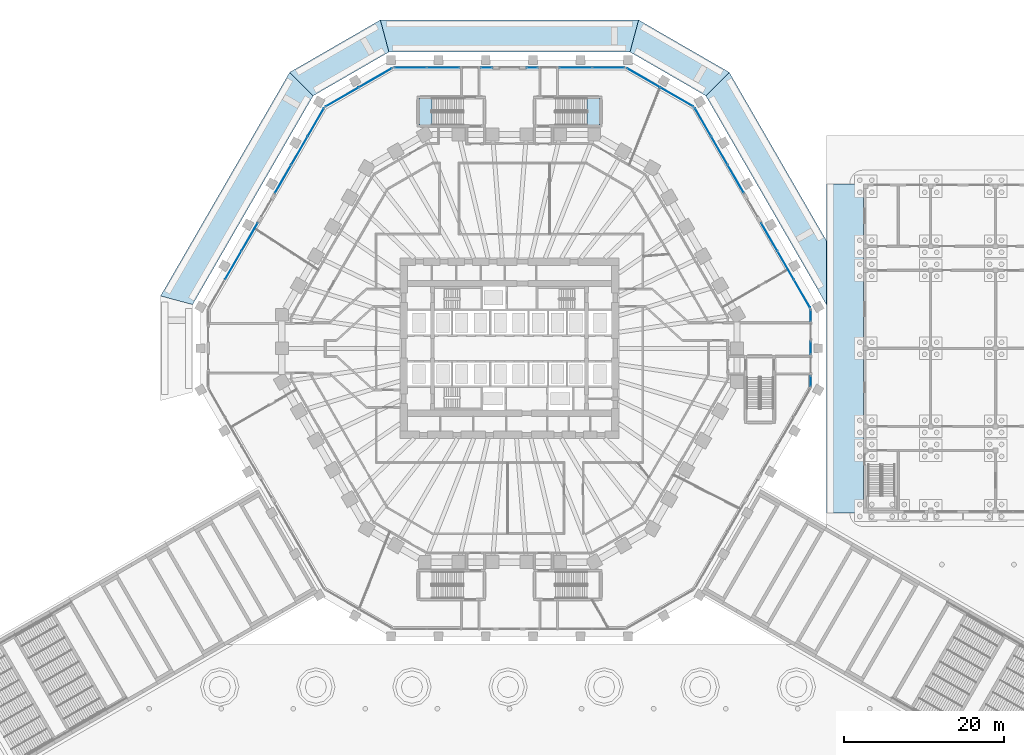
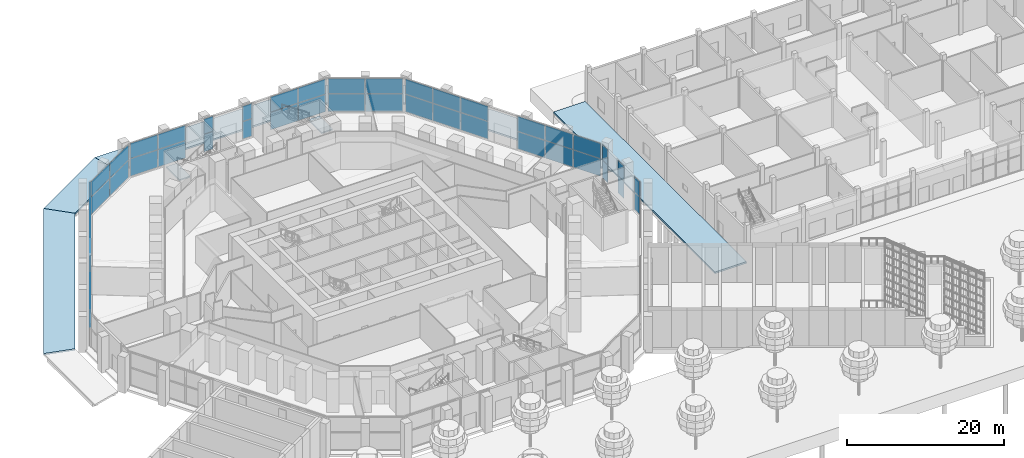
# One storey, part 14 of 44: 48 plates, 8 slabs, 15 elements without a shape of their own.
"""IFC4 building model written with IfcOpenShell, lengths in metres."""

from ifc_helpers import new_model, si_unit, direction, frame, origin, origin_2d, place, context, subcontext, project, spatial, polyline, rectangle, outline, extrude, material, layer, layer_set, type_object, element, aggregate, save


model = new_model("IFC4")

# Units and contexts
model_context = context("Model", 3, precision=1e-05, world=origin(), true_north=direction((0.0, 1.0)))
body_context = subcontext(model_context, "Body", "Model", "MODEL_VIEW")
ifc_project = project(units=[si_unit("LENGTHUNIT", "METRE"), si_unit("AREAUNIT", "SQUARE_METRE"), si_unit("VOLUMEUNIT", "CUBIC_METRE"), si_unit("PLANEANGLEUNIT", "RADIAN"), si_unit("MASSUNIT", "GRAM", prefix="KILO")], contexts=[model_context])

# Site, building, storey
site_placement = place(None, origin())
site = spatial("IfcSite", under=ifc_project, at=site_placement, CompositionType="ELEMENT")
building_placement = place(site_placement, origin())
building = spatial("IfcBuilding", under=site, at=building_placement, Name="Frailejon Research Tower", CompositionType="ELEMENT")
storey_placement = place(building_placement, origin())
storey = spatial("IfcBuildingStorey", under=building, at=storey_placement, Name="L00", CompositionType="ELEMENT", Elevation=0.0)

# Curtain wall, plates
ifc_material_1 = material(Name="Aluminium curtain wall", Category="aluminium")
curtain_wall_type = type_object("IfcCurtainWallType", Name="Lobby atrium curtain wall system", PredefinedType="NOTDEFINED", material=ifc_material_1)
curtain_wall_1_placement = place(storey_placement, origin())
curtain_wall_1 = element("IfcCurtainWall", 1, at=curtain_wall_1_placement, inside=storey, type_object=curtain_wall_type, Name="Curtain wall L00", PredefinedType="NOTDEFINED")
ifc_material_2 = material(Name="Clear laminated glass", Category="glass")
ifc_layer_1 = layer(ifc_material_2, 0.035888671875)
ifc_layer_set_1 = layer_set([ifc_layer_1], Name="Lobby atrium curtain wall glass panel 36")
plate_type = type_object("IfcPlateType", Name="Lobby atrium curtain wall glass panel 36", PredefinedType="CURTAIN_PANEL", material=ifc_layer_set_1)
plate_1_placement = place(storey_placement, frame((37.619140625, -4.11767578125, 0.080078125), z_axis=(0.0, 0.0, 1.0), x_axis=(0.0, 1.0, 0.0)))
plate_1 = element("IfcPlate", 2, at=plate_1_placement, type_object=plate_type, Name="CW1-001 panel 1.1", PredefinedType="CURTAIN_PANEL", context=body_context, shape_type="SweptSolid", body=[
    extrude(rectangle(XDim=1.287841796875, YDim=0.035888671875, at=origin_2d()), origin(), (0.0, 0.0, 1.0), 2.679931640625),
])
plate_2_placement = place(storey_placement, frame((37.619140625, -4.11767578125, 2.83984375), z_axis=(0.0, 0.0, 1.0), x_axis=(0.0, 1.0, 0.0)))
plate_2 = element("IfcPlate", 3, at=plate_2_placement, type_object=plate_type, Name="CW1-001 panel 1.2", PredefinedType="CURTAIN_PANEL", context=body_context, shape_type="SweptSolid", body=[
    extrude(rectangle(XDim=1.287841796875, YDim=0.035888671875, at=origin_2d()), origin(), (0.0, 0.0, 1.0), 2.330078125),
])
aggregate(curtain_wall_1, [plate_1, plate_2])

curtain_wall_2_placement = place(storey_placement, origin())
curtain_wall_2 = element("IfcCurtainWall", 4, at=curtain_wall_2_placement, inside=storey, type_object=curtain_wall_type, Name="Curtain wall L00", PredefinedType="NOTDEFINED")
plate_3_placement = place(storey_placement, frame((37.619140625, 0.052978515625, 0.080078125), z_axis=(0.0, 0.0, 1.0), x_axis=(0.0, 1.0, 0.0)))
plate_3 = element("IfcPlate", 5, at=plate_3_placement, type_object=plate_type, Name="CW1-X01 panel 1.1", PredefinedType="CURTAIN_PANEL", context=body_context, shape_type="SweptSolid", body=[
    extrude(rectangle(XDim=1.53369140625, YDim=0.035888671875, at=origin_2d()), origin(), (0.0, 0.0, 1.0), 2.679931640625),
])
plate_4_placement = place(storey_placement, frame((37.619140625, 0.052978515625, 2.83984375), z_axis=(0.0, 0.0, 1.0), x_axis=(0.0, 1.0, 0.0)))
plate_4 = element("IfcPlate", 6, at=plate_4_placement, type_object=plate_type, Name="CW1-X01 panel 1.2", PredefinedType="CURTAIN_PANEL", context=body_context, shape_type="SweptSolid", body=[
    extrude(rectangle(XDim=1.53369140625, YDim=0.035888671875, at=origin_2d()), origin(), (0.0, 0.0, 1.0), 2.330078125),
])
aggregate(curtain_wall_2, [plate_3, plate_4])

curtain_wall_3_placement = place(storey_placement, origin())
curtain_wall_3 = element("IfcCurtainWall", 7, at=curtain_wall_3_placement, inside=storey, type_object=curtain_wall_type, Name="Curtain wall L00", PredefinedType="NOTDEFINED")
plate_5_placement = place(storey_placement, frame((37.619140625, 4.07080078125, 0.080078125), z_axis=(0.0, 0.0, 1.0), x_axis=(0.0, 1.0, 0.0)))
plate_5 = element("IfcPlate", 8, at=plate_5_placement, type_object=plate_type, Name="CW1-002 panel 1.1", PredefinedType="CURTAIN_PANEL", context=body_context, shape_type="SweptSolid", body=[
    extrude(rectangle(XDim=1.381591796875, YDim=0.035888671875, at=origin_2d()), origin(), (0.0, 0.0, 1.0), 2.679931640625),
])
plate_6_placement = place(storey_placement, frame((37.619140625, 4.07080078125, 2.83984375), z_axis=(0.0, 0.0, 1.0), x_axis=(0.0, 1.0, 0.0)))
plate_6 = element("IfcPlate", 9, at=plate_6_placement, type_object=plate_type, Name="CW1-002 panel 1.2", PredefinedType="CURTAIN_PANEL", context=body_context, shape_type="SweptSolid", body=[
    extrude(rectangle(XDim=1.381591796875, YDim=0.035888671875, at=origin_2d()), origin(), (0.0, 0.0, 1.0), 2.330078125),
])
aggregate(curtain_wall_3, [plate_5, plate_6])

curtain_wall_4_placement = place(storey_placement, origin())
curtain_wall_4 = element("IfcCurtainWall", 10, at=curtain_wall_4_placement, inside=storey, type_object=curtain_wall_type, Name="Curtain wall L00", PredefinedType="NOTDEFINED")
plate_7_placement = place(storey_placement, frame((36.53173828125, 6.8251953125, 0.080078125), z_axis=(0.0, 0.0, 1.0), x_axis=(-0.499999762196, 0.866025541081, 0.0)))
plate_7 = element("IfcPlate", 11, at=plate_7_placement, type_object=plate_type, Name="CW1-003 panel 1.1", PredefinedType="CURTAIN_PANEL", context=body_context, shape_type="SweptSolid", body=[
    extrude(rectangle(XDim=3.989990234375, YDim=0.035888671875, at=origin_2d()), origin(), (0.0, 0.0, 1.0), 2.679931640625),
])
plate_8_placement = place(storey_placement, frame((36.53173828125, 6.8251953125, 2.83984375), z_axis=(0.0, 0.0, 1.0), x_axis=(-0.499999762196, 0.866025541081, 0.0)))
plate_8 = element("IfcPlate", 12, at=plate_8_placement, type_object=plate_type, Name="CW1-003 panel 1.2", PredefinedType="CURTAIN_PANEL", context=body_context, shape_type="SweptSolid", body=[
    extrude(rectangle(XDim=3.989990234375, YDim=0.035888671875, at=origin_2d()), origin(), (0.0, 0.0, 1.0), 2.330078125),
])
plate_9_placement = place(storey_placement, frame((34.48681640625, 10.3671875, 0.080078125), z_axis=(0.0, 0.0, 1.0), x_axis=(-0.499999762196, 0.866025541081, 0.0)))
plate_9 = element("IfcPlate", 13, at=plate_9_placement, type_object=plate_type, Name="CW1-003 panel 2.1", PredefinedType="CURTAIN_PANEL", context=body_context, shape_type="SweptSolid", body=[
    extrude(rectangle(XDim=4.030029296875, YDim=0.035888671875, at=origin_2d()), origin(), (0.0, 0.0, 1.0), 2.679931640625),
])
plate_10_placement = place(storey_placement, frame((34.48681640625, 10.3671875, 2.83984375), z_axis=(0.0, 0.0, 1.0), x_axis=(-0.499999762196, 0.866025541081, 0.0)))
plate_10 = element("IfcPlate", 14, at=plate_10_placement, type_object=plate_type, Name="CW1-003 panel 2.2", PredefinedType="CURTAIN_PANEL", context=body_context, shape_type="SweptSolid", body=[
    extrude(rectangle(XDim=4.030029296875, YDim=0.035888671875, at=origin_2d()), origin(), (0.0, 0.0, 1.0), 2.330078125),
])
plate_11_placement = place(storey_placement, frame((32.441650390625, 13.9091796875, 0.080078125), z_axis=(0.0, 0.0, 1.0), x_axis=(-0.499999762196, 0.866025541081, 0.0)))
plate_11 = element("IfcPlate", 15, at=plate_11_placement, type_object=plate_type, Name="CW1-003 panel 3.1", PredefinedType="CURTAIN_PANEL", context=body_context, shape_type="SweptSolid", body=[
    extrude(rectangle(XDim=3.989990234375, YDim=0.035888671875, at=origin_2d()), origin(), (0.0, 0.0, 1.0), 2.679931640625),
])
plate_12_placement = place(storey_placement, frame((32.441650390625, 13.9091796875, 2.83984375), z_axis=(0.0, 0.0, 1.0), x_axis=(-0.499999762196, 0.866025541081, 0.0)))
plate_12 = element("IfcPlate", 16, at=plate_12_placement, type_object=plate_type, Name="CW1-003 panel 3.2", PredefinedType="CURTAIN_PANEL", context=body_context, shape_type="SweptSolid", body=[
    extrude(rectangle(XDim=3.989990234375, YDim=0.035888671875, at=origin_2d()), origin(), (0.0, 0.0, 1.0), 2.330078125),
])
aggregate(curtain_wall_4, [plate_7, plate_8, plate_9, plate_10, plate_11, plate_12])

curtain_wall_5_placement = place(storey_placement, origin())
curtain_wall_5 = element("IfcCurtainWall", 17, at=curtain_wall_5_placement, inside=storey, type_object=curtain_wall_type, Name="Curtain wall L00", PredefinedType="NOTDEFINED")
plate_13_placement = place(storey_placement, frame((28.2666015625, 21.140625, 0.080078125), z_axis=(0.0, 0.0, 1.0), x_axis=(-0.499999762196, 0.866025541081, 0.0)))
plate_13 = element("IfcPlate", 18, at=plate_13_placement, type_object=plate_type, Name="CW1-004 panel 1.1", PredefinedType="CURTAIN_PANEL", context=body_context, shape_type="SweptSolid", body=[
    extrude(rectangle(XDim=3.989990234375, YDim=0.035888671875, at=origin_2d()), origin(), (0.0, 0.0, 1.0), 2.679931640625),
])
plate_14_placement = place(storey_placement, frame((28.2666015625, 21.140625, 2.83984375), z_axis=(0.0, 0.0, 1.0), x_axis=(-0.499999762196, 0.866025541081, 0.0)))
plate_14 = element("IfcPlate", 19, at=plate_14_placement, type_object=plate_type, Name="CW1-004 panel 1.2", PredefinedType="CURTAIN_PANEL", context=body_context, shape_type="SweptSolid", body=[
    extrude(rectangle(XDim=3.989990234375, YDim=0.035888671875, at=origin_2d()), origin(), (0.0, 0.0, 1.0), 2.330078125),
])
plate_15_placement = place(storey_placement, frame((26.2216796875, 24.682861328125, 0.080078125), z_axis=(0.0, 0.0, 1.0), x_axis=(-0.499999762196, 0.866025541081, 0.0)))
plate_15 = element("IfcPlate", 20, at=plate_15_placement, type_object=plate_type, Name="CW1-004 panel 2.1", PredefinedType="CURTAIN_PANEL", context=body_context, shape_type="SweptSolid", body=[
    extrude(rectangle(XDim=4.030029296875, YDim=0.035888671875, at=origin_2d()), origin(), (0.0, 0.0, 1.0), 2.679931640625),
])
plate_16_placement = place(storey_placement, frame((26.2216796875, 24.682861328125, 2.83984375), z_axis=(0.0, 0.0, 1.0), x_axis=(-0.499999762196, 0.866025541081, 0.0)))
plate_16 = element("IfcPlate", 21, at=plate_16_placement, type_object=plate_type, Name="CW1-004 panel 2.2", PredefinedType="CURTAIN_PANEL", context=body_context, shape_type="SweptSolid", body=[
    extrude(rectangle(XDim=4.030029296875, YDim=0.035888671875, at=origin_2d()), origin(), (0.0, 0.0, 1.0), 2.330078125),
])
plate_17_placement = place(storey_placement, frame((24.1767578125, 28.224853515625, 0.080078125), z_axis=(0.0, 0.0, 1.0), x_axis=(-0.499999762196, 0.866025541081, 0.0)))
plate_17 = element("IfcPlate", 22, at=plate_17_placement, type_object=plate_type, Name="CW1-004 panel 3.1", PredefinedType="CURTAIN_PANEL", context=body_context, shape_type="SweptSolid", body=[
    extrude(rectangle(XDim=3.989990234375, YDim=0.035888671875, at=origin_2d()), origin(), (0.0, 0.0, 1.0), 2.679931640625),
])
plate_18_placement = place(storey_placement, frame((24.1767578125, 28.224853515625, 2.83984375), z_axis=(0.0, 0.0, 1.0), x_axis=(-0.499999762196, 0.866025541081, 0.0)))
plate_18 = element("IfcPlate", 23, at=plate_18_placement, type_object=plate_type, Name="CW1-004 panel 3.2", PredefinedType="CURTAIN_PANEL", context=body_context, shape_type="SweptSolid", body=[
    extrude(rectangle(XDim=3.989990234375, YDim=0.035888671875, at=origin_2d()), origin(), (0.0, 0.0, 1.0), 2.330078125),
])
aggregate(curtain_wall_5, [plate_13, plate_14, plate_15, plate_16, plate_17, plate_18])

curtain_wall_6_placement = place(storey_placement, origin())
curtain_wall_6 = element("IfcCurtainWall", 24, at=curtain_wall_6_placement, inside=storey, type_object=curtain_wall_type, Name="Curtain wall L00", PredefinedType="NOTDEFINED")
plate_19_placement = place(storey_placement, frame((20.888916015625, 31.37890625, 0.080078125), z_axis=(0.0, 0.0, 1.0), x_axis=(-0.866025476338, 0.499999874334, 0.0)))
plate_19 = element("IfcPlate", 25, at=plate_19_placement, type_object=plate_type, Name="CW1-005 panel 1.1", PredefinedType="CURTAIN_PANEL", context=body_context, shape_type="SweptSolid", body=[
    extrude(rectangle(XDim=4.7216796875, YDim=0.035888671875, at=origin_2d()), origin(), (0.0, 0.0, 1.0), 2.679931640625),
])
plate_20_placement = place(storey_placement, frame((20.888916015625, 31.37890625, 2.83984375), z_axis=(0.0, 0.0, 1.0), x_axis=(-0.866025476338, 0.499999874334, 0.0)))
plate_20 = element("IfcPlate", 26, at=plate_20_placement, type_object=plate_type, Name="CW1-005 panel 1.2", PredefinedType="CURTAIN_PANEL", context=body_context, shape_type="SweptSolid", body=[
    extrude(rectangle(XDim=4.7216796875, YDim=0.035888671875, at=origin_2d()), origin(), (0.0, 0.0, 1.0), 2.330078125),
])
plate_21_placement = place(storey_placement, frame((16.73046875, 33.779541015625, 0.080078125), z_axis=(0.0, 0.0, 1.0), x_axis=(-0.866025476338, 0.499999874334, 0.0)))
plate_21 = element("IfcPlate", 27, at=plate_21_placement, type_object=plate_type, Name="CW1-005 panel 2.1", PredefinedType="CURTAIN_PANEL", context=body_context, shape_type="SweptSolid", body=[
    extrude(rectangle(XDim=4.7216796875, YDim=0.035888671875, at=origin_2d()), origin(), (0.0, 0.0, 1.0), 2.679931640625),
])
plate_22_placement = place(storey_placement, frame((16.73046875, 33.779541015625, 2.83984375), z_axis=(0.0, 0.0, 1.0), x_axis=(-0.866025476338, 0.499999874334, 0.0)))
plate_22 = element("IfcPlate", 28, at=plate_22_placement, type_object=plate_type, Name="CW1-005 panel 2.2", PredefinedType="CURTAIN_PANEL", context=body_context, shape_type="SweptSolid", body=[
    extrude(rectangle(XDim=4.7216796875, YDim=0.035888671875, at=origin_2d()), origin(), (0.0, 0.0, 1.0), 2.330078125),
])
aggregate(curtain_wall_6, [plate_19, plate_20, plate_21, plate_22])

curtain_wall_7_placement = place(storey_placement, origin())
curtain_wall_7 = element("IfcCurtainWall", 29, at=curtain_wall_7_placement, inside=storey, type_object=curtain_wall_type, Name="Curtain wall L00", PredefinedType="NOTDEFINED")
plate_23_placement = place(storey_placement, frame((12.351806640625, 35.050048828125, 0.080078125), z_axis=(0.0, 0.0, 1.0), x_axis=(-1.0, 0.0, 0.0)))
plate_23 = element("IfcPlate", 30, at=plate_23_placement, type_object=plate_type, Name="CW1-006 panel 1.1", PredefinedType="CURTAIN_PANEL", context=body_context, shape_type="SweptSolid", body=[
    extrude(rectangle(XDim=3.99658203125, YDim=0.035888671875, at=origin_2d()), origin(), (0.0, 0.0, 1.0), 2.679931640625),
])
plate_24_placement = place(storey_placement, frame((12.351806640625, 35.050048828125, 2.83984375), z_axis=(0.0, 0.0, 1.0), x_axis=(-1.0, 0.0, 0.0)))
plate_24 = element("IfcPlate", 31, at=plate_24_placement, type_object=plate_type, Name="CW1-006 panel 1.2", PredefinedType="CURTAIN_PANEL", context=body_context, shape_type="SweptSolid", body=[
    extrude(rectangle(XDim=3.99658203125, YDim=0.035888671875, at=origin_2d()), origin(), (0.0, 0.0, 1.0), 2.330078125),
])
plate_25_placement = place(storey_placement, frame((8.275390625, 35.050048828125, 0.080078125), z_axis=(0.0, 0.0, 1.0), x_axis=(-1.0, 0.0, 0.0)))
plate_25 = element("IfcPlate", 32, at=plate_25_placement, type_object=plate_type, Name="CW1-006 panel 2.1", PredefinedType="CURTAIN_PANEL", context=body_context, shape_type="SweptSolid", body=[
    extrude(rectangle(XDim=3.99658203125, YDim=0.035888671875, at=origin_2d()), origin(), (0.0, 0.0, 1.0), 2.679931640625),
])
plate_26_placement = place(storey_placement, frame((8.275390625, 35.050048828125, 2.83984375), z_axis=(0.0, 0.0, 1.0), x_axis=(-1.0, 0.0, 0.0)))
plate_26 = element("IfcPlate", 33, at=plate_26_placement, type_object=plate_type, Name="CW1-006 panel 2.2", PredefinedType="CURTAIN_PANEL", context=body_context, shape_type="SweptSolid", body=[
    extrude(rectangle(XDim=3.99658203125, YDim=0.035888671875, at=origin_2d()), origin(), (0.0, 0.0, 1.0), 2.330078125),
])
aggregate(curtain_wall_7, [plate_23, plate_24, plate_25, plate_26])

curtain_wall_8_placement = place(storey_placement, origin())
curtain_wall_8 = element("IfcCurtainWall", 34, at=curtain_wall_8_placement, inside=storey, type_object=curtain_wall_type, Name="Curtain wall L00", PredefinedType="NOTDEFINED")
plate_27_placement = place(storey_placement, frame((2.848388671875, 35.050048828125, 0.080078125), z_axis=(0.0, 0.0, 1.0), x_axis=(-1.0, 0.0, 0.0)))
plate_27 = element("IfcPlate", 35, at=plate_27_placement, type_object=plate_type, Name="CW1-X02 panel 1.1", PredefinedType="CURTAIN_PANEL", context=body_context, shape_type="SweptSolid", body=[
    extrude(rectangle(XDim=1.3369140625, YDim=0.035888671875, at=origin_2d()), origin(), (0.0, 0.0, 1.0), 2.679931640625),
])
plate_28_placement = place(storey_placement, frame((2.848388671875, 35.050048828125, 2.83984375), z_axis=(0.0, 0.0, 1.0), x_axis=(-1.0, 0.0, 0.0)))
plate_28 = element("IfcPlate", 36, at=plate_28_placement, type_object=plate_type, Name="CW1-X02 panel 1.2", PredefinedType="CURTAIN_PANEL", context=body_context, shape_type="SweptSolid", body=[
    extrude(rectangle(XDim=1.3369140625, YDim=0.035888671875, at=origin_2d()), origin(), (0.0, 0.0, 1.0), 2.330078125),
])
aggregate(curtain_wall_8, [plate_27, plate_28])

curtain_wall_9_placement = place(storey_placement, origin())
curtain_wall_9 = element("IfcCurtainWall", 37, at=curtain_wall_9_placement, inside=storey, type_object=curtain_wall_type, Name="Curtain wall L00", PredefinedType="NOTDEFINED")
plate_29_placement = place(storey_placement, frame((-2.848388671875, 35.050048828125, 0.080078125), z_axis=(0.0, 0.0, 1.0), x_axis=(-1.0, 0.0, 0.0)))
plate_29 = element("IfcPlate", 38, at=plate_29_placement, type_object=plate_type, Name="CW1-007 panel 1.1", PredefinedType="CURTAIN_PANEL", context=body_context, shape_type="SweptSolid", body=[
    extrude(rectangle(XDim=1.3369140625, YDim=0.035888671875, at=origin_2d()), origin(), (0.0, 0.0, 1.0), 2.679931640625),
])
plate_30_placement = place(storey_placement, frame((-2.848388671875, 35.050048828125, 2.83984375), z_axis=(0.0, 0.0, 1.0), x_axis=(-1.0, 0.0, 0.0)))
plate_30 = element("IfcPlate", 39, at=plate_30_placement, type_object=plate_type, Name="CW1-007 panel 1.2", PredefinedType="CURTAIN_PANEL", context=body_context, shape_type="SweptSolid", body=[
    extrude(rectangle(XDim=1.3369140625, YDim=0.035888671875, at=origin_2d()), origin(), (0.0, 0.0, 1.0), 2.330078125),
])
aggregate(curtain_wall_9, [plate_29, plate_30])

curtain_wall_10_placement = place(storey_placement, origin())
curtain_wall_10 = element("IfcCurtainWall", 40, at=curtain_wall_10_placement, inside=storey, type_object=curtain_wall_type, Name="Curtain wall L00", PredefinedType="NOTDEFINED")
plate_31_placement = place(storey_placement, frame((-8.275146484375, 35.050048828125, 0.080078125), z_axis=(0.0, 0.0, 1.0), x_axis=(-1.0, 0.0, 0.0)))
plate_31 = element("IfcPlate", 41, at=plate_31_placement, type_object=plate_type, Name="CW1-X03 panel 1.1", PredefinedType="CURTAIN_PANEL", context=body_context, shape_type="SweptSolid", body=[
    extrude(rectangle(XDim=3.99658203125, YDim=0.035888671875, at=origin_2d()), origin(), (0.0, 0.0, 1.0), 2.679931640625),
])
plate_32_placement = place(storey_placement, frame((-8.275146484375, 35.050048828125, 2.83984375), z_axis=(0.0, 0.0, 1.0), x_axis=(-1.0, 0.0, 0.0)))
plate_32 = element("IfcPlate", 42, at=plate_32_placement, type_object=plate_type, Name="CW1-X03 panel 1.2", PredefinedType="CURTAIN_PANEL", context=body_context, shape_type="SweptSolid", body=[
    extrude(rectangle(XDim=3.99658203125, YDim=0.035888671875, at=origin_2d()), origin(), (0.0, 0.0, 1.0), 2.330078125),
])
plate_33_placement = place(storey_placement, frame((-12.351806640625, 35.050048828125, 0.080078125), z_axis=(0.0, 0.0, 1.0), x_axis=(-1.0, 0.0, 0.0)))
plate_33 = element("IfcPlate", 43, at=plate_33_placement, type_object=plate_type, Name="CW1-X03 panel 2.1", PredefinedType="CURTAIN_PANEL", context=body_context, shape_type="SweptSolid", body=[
    extrude(rectangle(XDim=3.99658203125, YDim=0.035888671875, at=origin_2d()), origin(), (0.0, 0.0, 1.0), 2.679931640625),
])
plate_34_placement = place(storey_placement, frame((-12.351806640625, 35.050048828125, 2.83984375), z_axis=(0.0, 0.0, 1.0), x_axis=(-1.0, 0.0, 0.0)))
plate_34 = element("IfcPlate", 44, at=plate_34_placement, type_object=plate_type, Name="CW1-X03 panel 2.2", PredefinedType="CURTAIN_PANEL", context=body_context, shape_type="SweptSolid", body=[
    extrude(rectangle(XDim=3.99658203125, YDim=0.035888671875, at=origin_2d()), origin(), (0.0, 0.0, 1.0), 2.330078125),
])
aggregate(curtain_wall_10, [plate_31, plate_32, plate_33, plate_34])

curtain_wall_11_placement = place(storey_placement, origin())
curtain_wall_11 = element("IfcCurtainWall", 45, at=curtain_wall_11_placement, inside=storey, type_object=curtain_wall_type, Name="Curtain wall L00", PredefinedType="NOTDEFINED")
plate_35_placement = place(storey_placement, frame((-16.73046875, 33.779541015625, 0.080078125), z_axis=(0.0, 0.0, 1.0), x_axis=(-0.866025476338, -0.499999874334, 0.0)))
plate_35 = element("IfcPlate", 46, at=plate_35_placement, type_object=plate_type, Name="CW1-008 panel 1.1", PredefinedType="CURTAIN_PANEL", context=body_context, shape_type="SweptSolid", body=[
    extrude(rectangle(XDim=4.7216796875, YDim=0.035888671875, at=origin_2d()), origin(), (0.0, 0.0, 1.0), 2.679931640625),
])
plate_36_placement = place(storey_placement, frame((-16.73046875, 33.779541015625, 2.83984375), z_axis=(0.0, 0.0, 1.0), x_axis=(-0.866025476338, -0.499999874334, 0.0)))
plate_36 = element("IfcPlate", 47, at=plate_36_placement, type_object=plate_type, Name="CW1-008 panel 1.2", PredefinedType="CURTAIN_PANEL", context=body_context, shape_type="SweptSolid", body=[
    extrude(rectangle(XDim=4.7216796875, YDim=0.035888671875, at=origin_2d()), origin(), (0.0, 0.0, 1.0), 2.330078125),
])
plate_37_placement = place(storey_placement, frame((-20.888916015625, 31.37890625, 0.080078125), z_axis=(0.0, 0.0, 1.0), x_axis=(-0.866025476338, -0.499999874334, 0.0)))
plate_37 = element("IfcPlate", 48, at=plate_37_placement, type_object=plate_type, Name="CW1-008 panel 2.1", PredefinedType="CURTAIN_PANEL", context=body_context, shape_type="SweptSolid", body=[
    extrude(rectangle(XDim=4.7216796875, YDim=0.035888671875, at=origin_2d()), origin(), (0.0, 0.0, 1.0), 2.679931640625),
])
plate_38_placement = place(storey_placement, frame((-20.888916015625, 31.37890625, 2.83984375), z_axis=(0.0, 0.0, 1.0), x_axis=(-0.866025476338, -0.499999874334, 0.0)))
plate_38 = element("IfcPlate", 49, at=plate_38_placement, type_object=plate_type, Name="CW1-008 panel 2.2", PredefinedType="CURTAIN_PANEL", context=body_context, shape_type="SweptSolid", body=[
    extrude(rectangle(XDim=4.7216796875, YDim=0.035888671875, at=origin_2d()), origin(), (0.0, 0.0, 1.0), 2.330078125),
])
aggregate(curtain_wall_11, [plate_35, plate_36, plate_37, plate_38])

curtain_wall_12_placement = place(storey_placement, origin())
curtain_wall_12 = element("IfcCurtainWall", 50, at=curtain_wall_12_placement, inside=storey, type_object=curtain_wall_type, Name="Curtain wall L00", PredefinedType="NOTDEFINED")
plate_39_placement = place(storey_placement, frame((-24.1767578125, 28.224853515625, 0.080078125), z_axis=(0.0, 0.0, 1.0), x_axis=(-0.499999762196, -0.866025541081, 0.0)))
plate_39 = element("IfcPlate", 51, at=plate_39_placement, type_object=plate_type, Name="CW1-009 panel 1.1", PredefinedType="CURTAIN_PANEL", context=body_context, shape_type="SweptSolid", body=[
    extrude(rectangle(XDim=3.989990234375, YDim=0.035888671875, at=origin_2d()), origin(), (0.0, 0.0, 1.0), 2.679931640625),
])
plate_40_placement = place(storey_placement, frame((-24.1767578125, 28.224853515625, 2.83984375), z_axis=(0.0, 0.0, 1.0), x_axis=(-0.499999762196, -0.866025541081, 0.0)))
plate_40 = element("IfcPlate", 52, at=plate_40_placement, type_object=plate_type, Name="CW1-009 panel 1.2", PredefinedType="CURTAIN_PANEL", context=body_context, shape_type="SweptSolid", body=[
    extrude(rectangle(XDim=3.989990234375, YDim=0.035888671875, at=origin_2d()), origin(), (0.0, 0.0, 1.0), 2.330078125),
])
plate_41_placement = place(storey_placement, frame((-26.2216796875, 24.682861328125, 0.080078125), z_axis=(0.0, 0.0, 1.0), x_axis=(-0.499999762196, -0.866025541081, 0.0)))
plate_41 = element("IfcPlate", 53, at=plate_41_placement, type_object=plate_type, Name="CW1-009 panel 2.1", PredefinedType="CURTAIN_PANEL", context=body_context, shape_type="SweptSolid", body=[
    extrude(rectangle(XDim=4.030029296875, YDim=0.035888671875, at=origin_2d()), origin(), (0.0, 0.0, 1.0), 2.679931640625),
])
plate_42_placement = place(storey_placement, frame((-26.2216796875, 24.682861328125, 2.83984375), z_axis=(0.0, 0.0, 1.0), x_axis=(-0.499999762196, -0.866025541081, 0.0)))
plate_42 = element("IfcPlate", 54, at=plate_42_placement, type_object=plate_type, Name="CW1-009 panel 2.2", PredefinedType="CURTAIN_PANEL", context=body_context, shape_type="SweptSolid", body=[
    extrude(rectangle(XDim=4.030029296875, YDim=0.035888671875, at=origin_2d()), origin(), (0.0, 0.0, 1.0), 2.330078125),
])
plate_43_placement = place(storey_placement, frame((-28.2666015625, 21.140625, 0.080078125), z_axis=(0.0, 0.0, 1.0), x_axis=(-0.499999762196, -0.866025541081, 0.0)))
plate_43 = element("IfcPlate", 55, at=plate_43_placement, type_object=plate_type, Name="CW1-009 panel 3.1", PredefinedType="CURTAIN_PANEL", context=body_context, shape_type="SweptSolid", body=[
    extrude(rectangle(XDim=3.989990234375, YDim=0.035888671875, at=origin_2d()), origin(), (0.0, 0.0, 1.0), 2.679931640625),
])
plate_44_placement = place(storey_placement, frame((-28.2666015625, 21.140625, 2.83984375), z_axis=(0.0, 0.0, 1.0), x_axis=(-0.499999762196, -0.866025541081, 0.0)))
plate_44 = element("IfcPlate", 56, at=plate_44_placement, type_object=plate_type, Name="CW1-009 panel 3.2", PredefinedType="CURTAIN_PANEL", context=body_context, shape_type="SweptSolid", body=[
    extrude(rectangle(XDim=3.989990234375, YDim=0.035888671875, at=origin_2d()), origin(), (0.0, 0.0, 1.0), 2.330078125),
])
aggregate(curtain_wall_12, [plate_39, plate_40, plate_41, plate_42, plate_43, plate_44])

curtain_wall_13_placement = place(storey_placement, origin())
curtain_wall_13 = element("IfcCurtainWall", 57, at=curtain_wall_13_placement, inside=storey, type_object=curtain_wall_type, Name="Curtain wall L00", PredefinedType="NOTDEFINED")
plate_45_placement = place(storey_placement, frame((-32.441650390625, 13.9091796875, 0.080078125), z_axis=(0.0, 0.0, 1.0), x_axis=(-0.499999762196, -0.866025541081, 0.0)))
plate_45 = element("IfcPlate", 58, at=plate_45_placement, type_object=plate_type, Name="CW1-010 panel 1.1", PredefinedType="CURTAIN_PANEL", context=body_context, shape_type="SweptSolid", body=[
    extrude(rectangle(XDim=3.989990234375, YDim=0.035888671875, at=origin_2d()), origin(), (0.0, 0.0, 1.0), 2.679931640625),
])
plate_46_placement = place(storey_placement, frame((-32.441650390625, 13.9091796875, 2.83984375), z_axis=(0.0, 0.0, 1.0), x_axis=(-0.499999762196, -0.866025541081, 0.0)))
plate_46 = element("IfcPlate", 59, at=plate_46_placement, type_object=plate_type, Name="CW1-010 panel 1.2", PredefinedType="CURTAIN_PANEL", context=body_context, shape_type="SweptSolid", body=[
    extrude(rectangle(XDim=3.989990234375, YDim=0.035888671875, at=origin_2d()), origin(), (0.0, 0.0, 1.0), 2.330078125),
])
plate_47_placement = place(storey_placement, frame((-34.48681640625, 10.3671875, 0.080078125), z_axis=(0.0, 0.0, 1.0), x_axis=(-0.499999762196, -0.866025541081, 0.0)))
plate_47 = element("IfcPlate", 60, at=plate_47_placement, type_object=plate_type, Name="CW1-010 panel 2.1", PredefinedType="CURTAIN_PANEL", context=body_context, shape_type="SweptSolid", body=[
    extrude(rectangle(XDim=4.030029296875, YDim=0.035888671875, at=origin_2d()), origin(), (0.0, 0.0, 1.0), 2.679931640625),
])
plate_48_placement = place(storey_placement, frame((-34.48681640625, 10.3671875, 2.83984375), z_axis=(0.0, 0.0, 1.0), x_axis=(-0.499999762196, -0.866025541081, 0.0)))
plate_48 = element("IfcPlate", 61, at=plate_48_placement, type_object=plate_type, Name="CW1-010 panel 2.2", PredefinedType="CURTAIN_PANEL", context=body_context, shape_type="SweptSolid", body=[
    extrude(rectangle(XDim=4.030029296875, YDim=0.035888671875, at=origin_2d()), origin(), (0.0, 0.0, 1.0), 2.330078125),
])
aggregate(curtain_wall_13, [plate_45, plate_46, plate_47, plate_48])

# Slabs
ifc_material_3 = material(Name="Precast concrete paving C30/37", Category="concrete")
ifc_layer_2 = layer(ifc_material_3, 0.25)
ifc_layer_set_2 = layer_set([ifc_layer_2], Name="Plaza paving 250")
slab_type_1 = type_object("IfcSlabType", Name="Plaza paving 250", PredefinedType="USERDEFINED", material=ifc_layer_set_2)
slab_1_placement = place(storey_placement, frame((0.0, 0.0, -0.25)))
element("IfcSlab", 62, at=slab_1_placement, inside=storey, type_object=slab_type_1, Name="Movement joint court paving", ObjectType="PAVING", PredefinedType="USERDEFINED", context=body_context, shape_type="SweptSolid", body=[
    extrude(outline(polyline([(39.569091796875, 20.550048828125), (44.199951171875, 20.550048828125), (44.199951171875, -20.550048828125), (39.569091796875, -20.550048828125), (39.569091796875, -5.1962890625), (39.569091796875, 5.1962890625), (39.569091796875, 20.550048828125)])), origin(), (0.0, 0.0, 1.0), 0.25),
])
slab_2_placement = place(storey_placement, frame((0.0, 0.0, -0.25)))
element("IfcSlab", 63, at=slab_2_placement, inside=storey, type_object=slab_type_1, Name="Plaza walk paving", ObjectType="PAVING", PredefinedType="USERDEFINED", context=body_context, shape_type="SweptSolid", body=[
    extrude(outline(polyline([(24.5166015625, 31.535888671875), (39.569091796875, 5.464111328125), (39.569091796875, 13.464111328125), (27.44482421875, 34.464111328125), (24.5166015625, 31.535888671875)])), origin(), (0.0, 0.0, 1.0), 0.25),
])
slab_3_placement = place(storey_placement, frame((0.0, 0.0, -0.25)))
element("IfcSlab", 64, at=slab_3_placement, inside=storey, type_object=slab_type_1, Name="Plaza walk paving", ObjectType="PAVING", PredefinedType="USERDEFINED", context=body_context, shape_type="SweptSolid", body=[
    extrude(outline(polyline([(15.052490234375, 37.0), (24.5166015625, 31.535888671875), (27.44482421875, 34.464111328125), (16.12451171875, 41.0), (15.052490234375, 37.0)])), origin(), (0.0, 0.0, 1.0), 0.25),
])
slab_4_placement = place(storey_placement, frame((0.0, 0.0, -0.25)))
element("IfcSlab", 65, at=slab_4_placement, inside=storey, type_object=slab_type_1, Name="Plaza walk paving", ObjectType="PAVING", PredefinedType="USERDEFINED", context=body_context, shape_type="SweptSolid", body=[
    extrude(outline(polyline([(-15.052490234375, 37.0), (15.052490234375, 37.0), (16.12451171875, 41.0), (-16.12451171875, 41.0), (-15.052490234375, 37.0)])), origin(), (0.0, 0.0, 1.0), 0.25),
])
slab_5_placement = place(storey_placement, frame((0.0, 0.0, -0.25)))
element("IfcSlab", 66, at=slab_5_placement, inside=storey, type_object=slab_type_1, Name="Plaza walk paving", ObjectType="PAVING", PredefinedType="USERDEFINED", context=body_context, shape_type="SweptSolid", body=[
    extrude(outline(polyline([(-24.5166015625, 31.535888671875), (-15.052490234375, 37.0), (-16.12451171875, 41.0), (-27.44482421875, 34.464111328125), (-24.5166015625, 31.535888671875)])), origin(), (0.0, 0.0, 1.0), 0.25),
])
slab_6_placement = place(storey_placement, frame((0.0, 0.0, -0.25)))
element("IfcSlab", 67, at=slab_6_placement, inside=storey, type_object=slab_type_1, Name="Plaza walk paving", ObjectType="PAVING", PredefinedType="USERDEFINED", context=body_context, shape_type="SweptSolid", body=[
    extrude(outline(polyline([(-39.569091796875, 5.464111328125), (-24.5166015625, 31.535888671875), (-27.44482421875, 34.464111328125), (-43.569091796875, 6.535888671875), (-39.569091796875, 5.464111328125)])), origin(), (0.0, 0.0, 1.0), 0.25),
])

# Stair, slab
ifc_material_4 = material(Name="Concrete C50/60", Category="concrete")
stair_type = type_object("IfcStairType", Name="Exit stair 30 risers", PredefinedType="HALF_TURN_STAIR", material=ifc_material_4)
stair_1_placement = place(storey_placement, origin())
stair_1 = element("IfcStair", 68, at=stair_1_placement, inside=storey, type_object=stair_type, Name="L00 Exit stair PS1", PredefinedType="HALF_TURN_STAIR")
ifc_material_5 = material(Name="Concrete C50/60", Category="concrete")
ifc_layer_3 = layer(ifc_material_5, 0.199951171875)
ifc_layer_set_3 = layer_set([ifc_layer_3], Name="Stair landing slab 200")
slab_type_2 = type_object("IfcSlabType", Name="Stair landing slab 200", PredefinedType="LANDING", material=ifc_layer_set_3)
slab_7_placement = place(storey_placement, frame((0.0, 0.0, 2.60009765625)))
slab_7 = element("IfcSlab", 69, at=slab_7_placement, type_object=slab_type_2, Name="PS1 landing 1", PredefinedType="LANDING", context=body_context, shape_type="SweptSolid", body=[
    extrude(outline(polyline([(-9.677001953125, 31.22509765625), (-11.27685546875, 31.22509765625), (-11.27685546875, 27.875), (-9.677001953125, 27.875), (-9.677001953125, 31.22509765625)])), origin(), (0.0, 0.0, 1.0), 0.199951171875),
])
aggregate(stair_1, [slab_7])

stair_2_placement = place(storey_placement, origin())
stair_2 = element("IfcStair", 70, at=stair_2_placement, inside=storey, type_object=stair_type, Name="L00 Exit stair PS2", PredefinedType="HALF_TURN_STAIR")
slab_8_placement = place(storey_placement, frame((0.0, 0.0, 2.60009765625)))
slab_8 = element("IfcSlab", 71, at=slab_8_placement, type_object=slab_type_2, Name="PS2 landing 1", PredefinedType="LANDING", context=body_context, shape_type="SweptSolid", body=[
    extrude(outline(polyline([(9.677001953125, 27.875), (11.27685546875, 27.875), (11.27685546875, 31.22509765625), (9.677001953125, 31.22509765625), (9.677001953125, 27.875)])), origin(), (0.0, 0.0, 1.0), 0.199951171875),
])
aggregate(stair_2, [slab_8])

save(model, "model.ifc")
